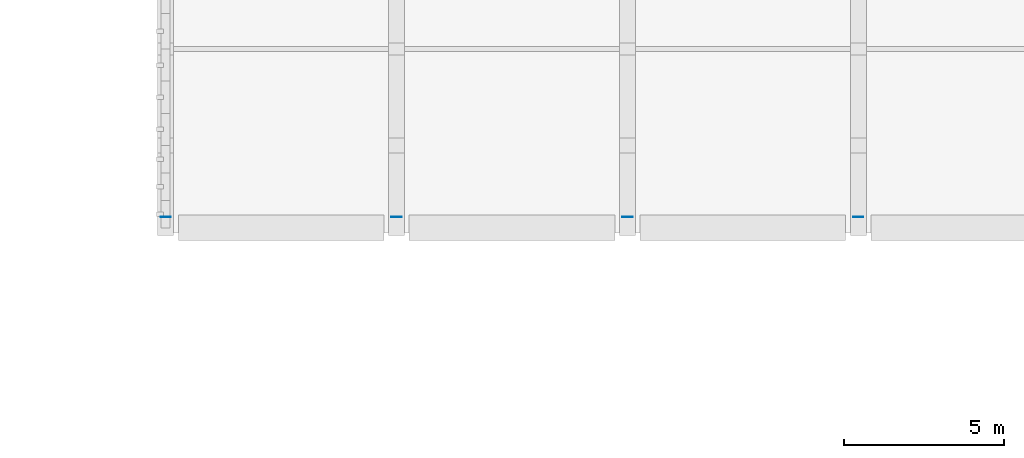
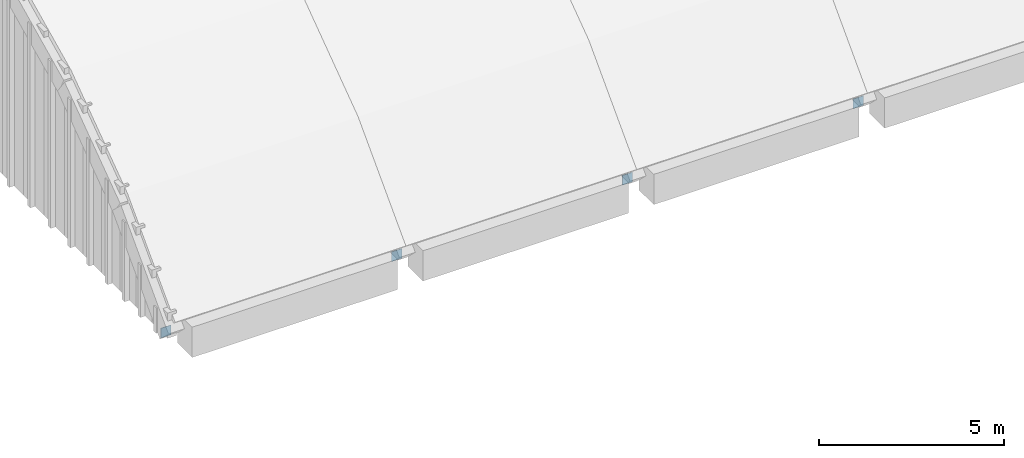
# One storey, part 7 of 16: 4 plates.
"""IFC4 building model written with IfcOpenShell, lengths in metres."""

from ifc_helpers import new_model, si_unit, direction, frame, origin, origin_2d, place, context, subcontext, project, spatial, rectangle, extrude, material, layer, layer_set, type_object, element, save


model = new_model("IFC4")

# Units and contexts
model_context = context("Model", 3, precision=1e-05, world=origin(), true_north=direction((0.0, 1.0)))
body_context = subcontext(model_context, "Body", "Model", "MODEL_VIEW")
ifc_project = project(units=[si_unit("LENGTHUNIT", "METRE"), si_unit("AREAUNIT", "SQUARE_METRE"), si_unit("VOLUMEUNIT", "CUBIC_METRE"), si_unit("PLANEANGLEUNIT", "RADIAN"), si_unit("MASSUNIT", "GRAM", prefix="KILO")], contexts=[model_context])

# Site, building, storey
site_placement = place(None, origin())
site = spatial("IfcSite", under=ifc_project, at=site_placement, CompositionType="ELEMENT")
building_placement = place(site_placement, origin())
building = spatial("IfcBuilding", under=site, at=building_placement, Name="Sardonyx Promenade Sports Hall", CompositionType="ELEMENT")
storey_placement = place(building_placement, frame((0.0, 0.0, 24.800048828125)))
storey = spatial("IfcBuildingStorey", under=building, at=storey_placement, Name="RF", CompositionType="ELEMENT", Elevation=24.800048828125)

# Plates
ifc_material = material(Name="Steel S355JR", Category="steel")
ifc_layer = layer(ifc_material, 0.01611328125)
ifc_layer_set = layer_set([ifc_layer], Name="Plt_EndCap_EC2")
plate_type = type_object("IfcPlateType", Name="Plt_EndCap_EC2", PredefinedType="USERDEFINED", material=ifc_layer_set)
for number, where, z_axis, x_axis, name in (
    (1, (28.800048828125, 72.342041015625, -4.60986328125), (0.0, 0.0, 1.0), (1.0, 0.0, 0.0), "Tie-rod end-cap plate V1 5 S"),
    (2, (36.0, 72.342041015625, -4.60986328125), (0.0, 0.0, 1.0), (1.0, 0.0, 0.0), "Tie-rod end-cap plate V1 6 S"),
    (3, (43.199951171875, 72.342041015625, -4.60986328125), (0.0, 0.0, 1.0), (1.0, 0.0, 0.0), "Tie-rod end-cap plate V1 7 S"),
    (4, (50.39990234375, 72.342041015625, -4.60986328125), (0.0, 0.0, 1.0), (1.0, 0.0, 0.0), "Tie-rod end-cap plate V1 8 S"),
):
    element("IfcPlate", number, at=place(storey_placement, frame(where, z_axis=z_axis, x_axis=x_axis)), inside=storey, type_object=plate_type, Name=name, ObjectType="END CAP PLATE", PredefinedType="USERDEFINED", context=body_context, shape_type="SweptSolid", body=[
        extrude(rectangle(XDim=0.320068359375, YDim=0.01611328125, at=origin_2d()), origin(), (0.0, 0.0, 1.0), 0.320068359375),
    ])

save(model, "model.ifc")
